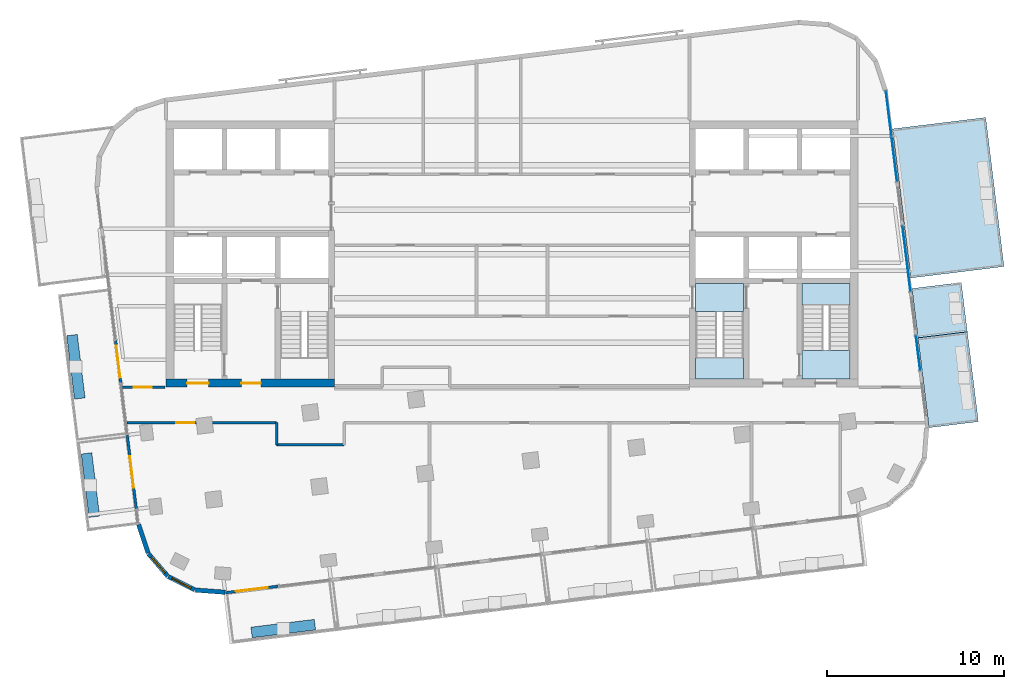
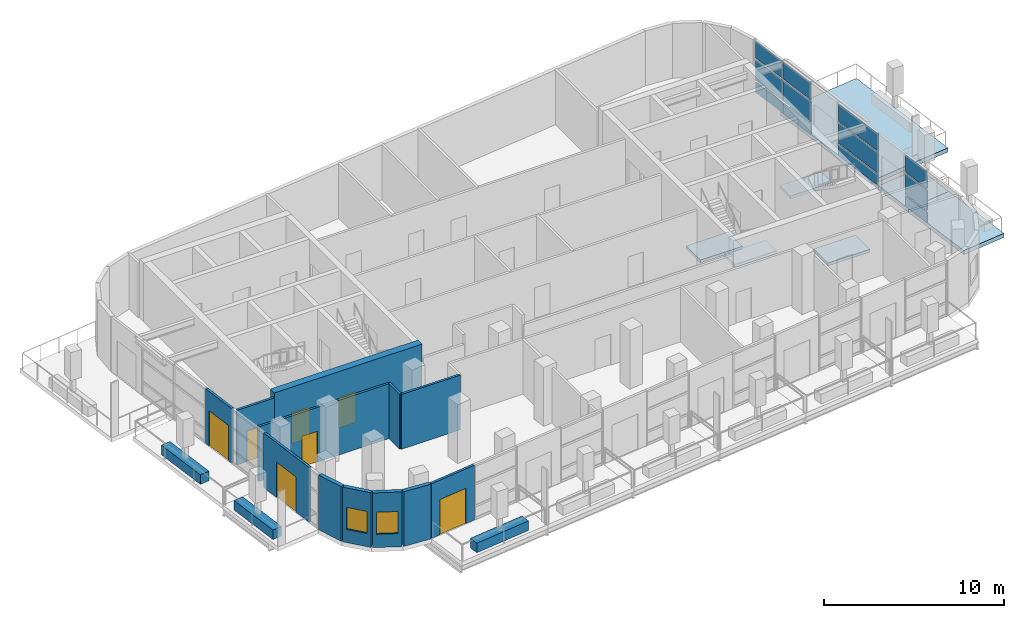
# One storey, part 6 of 14: 15 walls, 12 plates, 7 doors, 7 slabs, 2 windows, 9 openings, 5 elements without a shape of their own.
"""IFC4 building model written with IfcOpenShell, lengths in metres."""

from ifc_helpers import new_model, si_unit, direction, frame, frame_2d, origin, origin_2d, place, context, subcontext, project, spatial, polyline, rectangle, outline, extrude, material, layer, layer_set, type_object, element, fill, aggregate, save


model = new_model("IFC4")

# Units and contexts
model_context = context("Model", 3, precision=1e-05, world=origin(), true_north=direction((0.0, 1.0)))
body_context = subcontext(model_context, "Body", "Model", "MODEL_VIEW")
ifc_project = project(units=[si_unit("LENGTHUNIT", "METRE"), si_unit("AREAUNIT", "SQUARE_METRE"), si_unit("VOLUMEUNIT", "CUBIC_METRE"), si_unit("PLANEANGLEUNIT", "RADIAN"), si_unit("MASSUNIT", "GRAM", prefix="KILO")], contexts=[model_context])

# Site, building, storey
site_placement = place(None, origin())
site = spatial("IfcSite", under=ifc_project, at=site_placement, CompositionType="ELEMENT")
building_placement = place(site_placement, origin())
building = spatial("IfcBuilding", under=site, at=building_placement, Name="Torana Hotel and Residences", CompositionType="ELEMENT")
storey_placement = place(building_placement, frame((0.0, 0.0, 318.60009765625)))
storey = spatial("IfcBuildingStorey", under=building, at=storey_placement, Name="L84", CompositionType="ELEMENT", Elevation=318.60009765625)

# Slabs
ifc_material_1 = material(Name="Concrete C40/50", Category="concrete")
ifc_layer_1 = layer(ifc_material_1, 0.280029296875)
ifc_layer_set_1 = layer_set([ifc_layer_1], Name="BAL1 BALCONY SLAB 280")
slab_type_1 = type_object("IfcSlabType", Name="BAL1 BALCONY SLAB 280", PredefinedType="USERDEFINED", material=ifc_layer_set_1)
slab_1_placement = place(storey_placement, frame((0.0, 0.0, -0.280029296875)))
element("IfcSlab", 1, at=slab_1_placement, inside=storey, type_object=slab_type_1, Name="Balcony 10", ObjectType="BALCONY", PredefinedType="USERDEFINED", context=body_context, shape_type="SweptSolid", body=[
    extrude(outline(polyline([(23.502197265625, -17.286376953125), (26.281494140625, -16.945068359375), (25.659912109375, -11.88330078125), (22.880615234375, -12.224365234375), (23.502197265625, -17.286376953125)])), origin(), (0.0, 0.0, 1.0), 0.280029296875),
])
slab_2_placement = place(storey_placement, frame((0.0, 0.0, -0.280029296875)))
element("IfcSlab", 2, at=slab_2_placement, inside=storey, type_object=slab_type_1, Name="Balcony 11", ObjectType="BALCONY", PredefinedType="USERDEFINED", context=body_context, shape_type="SweptSolid", body=[
    extrude(outline(polyline([(22.880615234375, -12.224365234375), (25.659912109375, -11.88330078125), (25.318603515625, -9.104248046875), (22.53955078125, -9.445556640625), (22.880615234375, -12.224365234375)])), origin(), (0.0, 0.0, 1.0), 0.280029296875),
])
slab_3_placement = place(storey_placement, frame((0.0, 0.0, -0.280029296875)))
element("IfcSlab", 3, at=slab_3_placement, inside=storey, type_object=slab_type_1, Name="Balcony 12", ObjectType="BALCONY", PredefinedType="USERDEFINED", context=body_context, shape_type="SweptSolid", body=[
    extrude(outline(polyline([(22.46630859375, -8.85009765625), (27.726806640625, -8.2041015625), (26.695556640625, 0.19580078125), (21.43505859375, -0.449951171875), (22.46630859375, -8.85009765625)])), origin(), (0.0, 0.0, 1.0), 0.280029296875),
])

# Curtain wall, plates
ifc_material_2 = material(Name="Dark anodised aluminium", Category="aluminium")
ifc_layer_2 = layer(ifc_material_2, 0.199951171875)
ifc_layer_set_2 = layer_set([ifc_layer_2], Name="CW3 SKY CLUB UNITISED CURTAIN WALL")
curtain_wall_type = type_object("IfcCurtainWallType", Name="CW3 SKY CLUB UNITISED CURTAIN WALL", PredefinedType="NOTDEFINED", material=ifc_layer_set_2)
curtain_wall_1_placement = place(storey_placement, origin())
curtain_wall_1 = element("IfcCurtainWall", 4, at=curtain_wall_1_placement, inside=storey, type_object=curtain_wall_type, Name="Curtain wall CW3 L84 e0.19-2", PredefinedType="NOTDEFINED")
ifc_material_3 = material(Name="Glass dark tinted double glazed unit", Category="glass")
ifc_layer_3 = layer(ifc_material_3, 0.031982421875)
ifc_layer_set_3 = layer_set([ifc_layer_3], Name="CW3 DARK GLASS PANEL 32")
plate_type = type_object("IfcPlateType", Name="CW3 DARK GLASS PANEL 32", PredefinedType="CURTAIN_PANEL", material=ifc_layer_set_3)
plate_1_placement = place(storey_placement, frame((22.885009765625, -13.080322265625, 0.1201171875), z_axis=(0.0, 0.0, 1.0), x_axis=(-0.121912701141, 0.992540827019, 0.0)))
plate_1 = element("IfcPlate", 5, at=plate_1_placement, type_object=plate_type, Name="CW3 panel 1.1", PredefinedType="CURTAIN_PANEL", context=body_context, shape_type="SweptSolid", body=[
    extrude(rectangle(XDim=1.9599609375, YDim=0.031982421875, at=origin_2d()), origin(), (0.0, 0.0, 1.0), 0.719970703125),
])
plate_2_placement = place(storey_placement, frame((22.885009765625, -13.080322265625, 0.9599609375), z_axis=(0.0, 0.0, 1.0), x_axis=(-0.121912701141, 0.992540827019, 0.0)))
plate_2 = element("IfcPlate", 6, at=plate_2_placement, type_object=plate_type, Name="CW3 panel 1.2", PredefinedType="CURTAIN_PANEL", context=body_context, shape_type="SweptSolid", body=[
    extrude(rectangle(XDim=1.9599609375, YDim=0.031982421875, at=origin_2d()), origin(), (0.0, 0.0, 1.0), 1.3798828125),
])
plate_3_placement = place(storey_placement, frame((22.885009765625, -13.080322265625, 2.4599609375), z_axis=(0.0, 0.0, 1.0), x_axis=(-0.121912701141, 0.992540827019, 0.0)))
plate_3 = element("IfcPlate", 7, at=plate_3_placement, type_object=plate_type, Name="CW3 panel 1.3", PredefinedType="CURTAIN_PANEL", context=body_context, shape_type="SweptSolid", body=[
    extrude(rectangle(XDim=1.9599609375, YDim=0.031982421875, at=origin_2d()), origin(), (0.0, 0.0, 1.0), 1.139892578125),
])
aggregate(curtain_wall_1, [plate_1, plate_2, plate_3])

curtain_wall_2_placement = place(storey_placement, origin())
curtain_wall_2 = element("IfcCurtainWall", 8, at=curtain_wall_2_placement, inside=storey, type_object=curtain_wall_type, Name="Curtain wall CW3 L84 e0.19-4", PredefinedType="NOTDEFINED")
plate_4_placement = place(storey_placement, frame((22.231201171875, -7.754638671875, 0.1201171875), z_axis=(0.0, 0.0, 1.0), x_axis=(-0.121885437403, 0.992544175414, 0.0)))
plate_4 = element("IfcPlate", 9, at=plate_4_placement, type_object=plate_type, Name="CW3 panel 1.1", PredefinedType="CURTAIN_PANEL", context=body_context, shape_type="SweptSolid", body=[
    extrude(rectangle(XDim=3.69140625, YDim=0.031982421875, at=origin_2d()), origin(), (0.0, 0.0, 1.0), 0.719970703125),
])
plate_5_placement = place(storey_placement, frame((22.231201171875, -7.754638671875, 0.9599609375), z_axis=(0.0, 0.0, 1.0), x_axis=(-0.121885437403, 0.992544175414, 0.0)))
plate_5 = element("IfcPlate", 10, at=plate_5_placement, type_object=plate_type, Name="CW3 panel 1.2", PredefinedType="CURTAIN_PANEL", context=body_context, shape_type="SweptSolid", body=[
    extrude(rectangle(XDim=3.69140625, YDim=0.031982421875, at=origin_2d()), origin(), (0.0, 0.0, 1.0), 1.3798828125),
])
plate_6_placement = place(storey_placement, frame((22.231201171875, -7.754638671875, 2.4599609375), z_axis=(0.0, 0.0, 1.0), x_axis=(-0.121885437403, 0.992544175414, 0.0)))
plate_6 = element("IfcPlate", 11, at=plate_6_placement, type_object=plate_type, Name="CW3 panel 1.3", PredefinedType="CURTAIN_PANEL", context=body_context, shape_type="SweptSolid", body=[
    extrude(rectangle(XDim=3.69140625, YDim=0.031982421875, at=origin_2d()), origin(), (0.0, 0.0, 1.0), 1.139892578125),
])
aggregate(curtain_wall_2, [plate_4, plate_5, plate_6])

curtain_wall_3_placement = place(storey_placement, origin())
curtain_wall_3 = element("IfcCurtainWall", 12, at=curtain_wall_3_placement, inside=storey, type_object=curtain_wall_type, Name="Curtain wall CW3 L84 e0.19-6", PredefinedType="NOTDEFINED")
plate_7_placement = place(storey_placement, frame((21.543212890625, -2.152587890625, 0.1201171875), z_axis=(0.0, 0.0, 1.0), x_axis=(-0.121870538273, 0.992546004929, 0.0)))
plate_7 = element("IfcPlate", 13, at=plate_7_placement, type_object=plate_type, Name="CW3 panel 1.1", PredefinedType="CURTAIN_PANEL", context=body_context, shape_type="SweptSolid", body=[
    extrude(rectangle(XDim=2.51708984375, YDim=0.031982421875, at=origin_2d()), origin(), (0.0, 0.0, 1.0), 0.719970703125),
])
plate_8_placement = place(storey_placement, frame((21.543212890625, -2.152587890625, 0.9599609375), z_axis=(0.0, 0.0, 1.0), x_axis=(-0.121870538273, 0.992546004929, 0.0)))
plate_8 = element("IfcPlate", 14, at=plate_8_placement, type_object=plate_type, Name="CW3 panel 1.2", PredefinedType="CURTAIN_PANEL", context=body_context, shape_type="SweptSolid", body=[
    extrude(rectangle(XDim=2.51708984375, YDim=0.031982421875, at=origin_2d()), origin(), (0.0, 0.0, 1.0), 1.3798828125),
])
plate_9_placement = place(storey_placement, frame((21.543212890625, -2.152587890625, 2.4599609375), z_axis=(0.0, 0.0, 1.0), x_axis=(-0.121870538273, 0.992546004929, 0.0)))
plate_9 = element("IfcPlate", 15, at=plate_9_placement, type_object=plate_type, Name="CW3 panel 1.3", PredefinedType="CURTAIN_PANEL", context=body_context, shape_type="SweptSolid", body=[
    extrude(rectangle(XDim=2.51708984375, YDim=0.031982421875, at=origin_2d()), origin(), (0.0, 0.0, 1.0), 1.139892578125),
])
plate_10_placement = place(storey_placement, frame((21.22802734375, 0.415283203125, 0.1201171875), z_axis=(0.0, 0.0, 1.0), x_axis=(-0.121870538273, 0.992546004929, 0.0)))
plate_10 = element("IfcPlate", 16, at=plate_10_placement, type_object=plate_type, Name="CW3 panel 2.1", PredefinedType="CURTAIN_PANEL", context=body_context, shape_type="SweptSolid", body=[
    extrude(rectangle(XDim=2.51708984375, YDim=0.031982421875, at=origin_2d()), origin(), (0.0, 0.0, 1.0), 0.719970703125),
])
plate_11_placement = place(storey_placement, frame((21.22802734375, 0.415283203125, 0.9599609375), z_axis=(0.0, 0.0, 1.0), x_axis=(-0.121870538273, 0.992546004929, 0.0)))
plate_11 = element("IfcPlate", 17, at=plate_11_placement, type_object=plate_type, Name="CW3 panel 2.2", PredefinedType="CURTAIN_PANEL", context=body_context, shape_type="SweptSolid", body=[
    extrude(rectangle(XDim=2.51708984375, YDim=0.031982421875, at=origin_2d()), origin(), (0.0, 0.0, 1.0), 1.3798828125),
])
plate_12_placement = place(storey_placement, frame((21.22802734375, 0.415283203125, 2.4599609375), z_axis=(0.0, 0.0, 1.0), x_axis=(-0.121870538273, 0.992546004929, 0.0)))
plate_12 = element("IfcPlate", 18, at=plate_12_placement, type_object=plate_type, Name="CW3 panel 2.3", PredefinedType="CURTAIN_PANEL", context=body_context, shape_type="SweptSolid", body=[
    extrude(rectangle(XDim=2.51708984375, YDim=0.031982421875, at=origin_2d()), origin(), (0.0, 0.0, 1.0), 1.139892578125),
])
aggregate(curtain_wall_3, [plate_7, plate_8, plate_9, plate_10, plate_11, plate_12])

# Stair, slabs
ifc_material_4 = material(Name="Concrete C40/50 precast", Category="concrete")
stair_type_1 = type_object("IfcStairType", Name="STAIR ST3 HALF TURN 1200", PredefinedType="HALF_TURN_STAIR", material=ifc_material_4)
stair_1_placement = place(storey_placement, origin())
stair_1 = element("IfcStair", 19, at=stair_1_placement, inside=storey, type_object=stair_type_1, Name="Stair ST3 L84", PredefinedType="HALF_TURN_STAIR")
ifc_material_5 = material(Name="Concrete C40/50 precast", Category="concrete")
ifc_layer_4 = layer(ifc_material_5, 0.199951171875)
ifc_layer_set_4 = layer_set([ifc_layer_4], Name="STAIR LANDING 200")
slab_type_2 = type_object("IfcSlabType", Name="STAIR LANDING 200", PredefinedType="LANDING", material=ifc_layer_set_4)
slab_4_placement = place(storey_placement, frame((0.0, 0.0, 1.7998046875)))
slab_4 = element("IfcSlab", 20, at=slab_4_placement, type_object=slab_type_2, Name="ST3 landing 1", PredefinedType="LANDING", context=body_context, shape_type="SweptSolid", body=[
    extrude(outline(polyline([(10.35009765625, -14.550048828125), (13.050048828125, -14.550048828125), (13.050048828125, -13.35009765625), (10.35009765625, -13.35009765625), (10.35009765625, -14.550048828125)])), origin(), (0.0, 0.0, 1.0), 0.2001953125),
])
slab_5_placement = place(storey_placement, frame((0.0, 0.0, -0.2001953125)))
slab_5 = element("IfcSlab", 21, at=slab_5_placement, type_object=slab_type_2, Name="ST3 landing 2", PredefinedType="LANDING", context=body_context, shape_type="SweptSolid", body=[
    extrude(outline(polyline([(10.35009765625, -10.75), (13.050048828125, -10.75), (13.050048828125, -9.14990234375), (10.35009765625, -9.14990234375), (10.35009765625, -10.75)])), origin(), (0.0, 0.0, 1.0), 0.2001953125),
])
aggregate(stair_1, [slab_4, slab_5])

ifc_material_6 = material(Name="Concrete C40/50 precast", Category="concrete")
stair_type_2 = type_object("IfcStairType", Name="STAIR ST4 HALF TURN 1200", PredefinedType="HALF_TURN_STAIR", material=ifc_material_6)
stair_2_placement = place(storey_placement, origin())
stair_2 = element("IfcStair", 22, at=stair_2_placement, inside=storey, type_object=stair_type_2, Name="Stair ST4 L84", PredefinedType="HALF_TURN_STAIR")
slab_6_placement = place(storey_placement, frame((0.0, 0.0, 1.7998046875)))
slab_6 = element("IfcSlab", 23, at=slab_6_placement, type_object=slab_type_2, Name="ST4 landing 1", PredefinedType="LANDING", context=body_context, shape_type="SweptSolid", body=[
    extrude(outline(polyline([(16.35009765625, -10.35009765625), (19.050048828125, -10.35009765625), (19.050048828125, -9.14990234375), (16.35009765625, -9.14990234375), (16.35009765625, -10.35009765625)])), origin(), (0.0, 0.0, 1.0), 0.2001953125),
])
slab_7_placement = place(storey_placement, frame((0.0, 0.0, -0.2001953125)))
slab_7 = element("IfcSlab", 24, at=slab_7_placement, type_object=slab_type_2, Name="ST4 landing 2", PredefinedType="LANDING", context=body_context, shape_type="SweptSolid", body=[
    extrude(outline(polyline([(16.35009765625, -14.550048828125), (19.050048828125, -14.550048828125), (19.050048828125, -12.949951171875), (16.35009765625, -12.949951171875), (16.35009765625, -14.550048828125)])), origin(), (0.0, 0.0, 1.0), 0.2001953125),
])
aggregate(stair_2, [slab_6, slab_7])

# Wall, openings, doors
ifc_material_7 = material(Name="Concrete C60/75", Category="concrete")
ifc_layer_5 = layer(ifc_material_7, 0.449951171875)
ifc_layer_set_5 = layer_set([ifc_layer_5], Name="CORE WALL 450 C60/75")
wall_type_1 = type_object("IfcWallType", Name="CORE WALL 450 C60/75", PredefinedType="SHEAR", material=ifc_layer_set_5)
wall_1_placement = place(storey_placement, frame((-19.5, -14.77490234375, 0.0), z_axis=(0.0, 0.0, 1.0), x_axis=(1.0, 0.0, 0.0)))
wall_1 = element("IfcWall", 25, at=wall_1_placement, inside=storey, type_object=wall_type_1, Name="Core wall W front", PredefinedType="SHEAR", context=body_context, shape_type="SweptSolid", body=[
    extrude(rectangle(XDim=9.5, YDim=0.449951171875, at=frame_2d((4.75, 0.0))), origin(), (0.0, 0.0, 1.0), 4.0),
])
opening_1_placement = place(wall_1_placement, frame((1.199951171875, 0.0, 0.0)))
opening_1 = element("IfcOpeningElement", 26, at=opening_1_placement, cuts=wall_1, Name="Opening L84-04", PredefinedType="OPENING", context=body_context, shape_type="SweptSolid", body=[
    extrude(rectangle(XDim=1.199951171875, YDim=2.10009765625, at=frame_2d((0.60009765625, 1.050048828125))), frame((0.0, 0.23486328125, 0.0), z_axis=(0.0, -1.0, 0.0), x_axis=(1.0, 0.0, 0.0)), (0.0, 0.0, 1.0), 0.469970703125),
])
opening_2_placement = place(wall_1_placement, frame((4.25, 0.0, 0.0)))
opening_2 = element("IfcOpeningElement", 27, at=opening_2_placement, cuts=wall_1, Name="Opening L84-05", PredefinedType="OPENING", context=body_context, shape_type="SweptSolid", body=[
    extrude(rectangle(XDim=1.10009765625, YDim=2.10009765625, at=frame_2d((0.550048828125, 1.050048828125))), frame((0.0, 0.23486328125, 0.0), z_axis=(0.0, -1.0, 0.0), x_axis=(1.0, 0.0, 0.0)), (0.0, 0.0, 1.0), 0.469970703125),
])
ifc_material_8 = material(Name="Steel S235", Category="steel")
door_type_1 = type_object("IfcDoorType", Name="FIRE-FIGHTING LOBBY DOOR D8 1100x2100", OperationType="SINGLE_SWING_LEFT", PredefinedType="DOOR", material=ifc_material_8)
door_1_placement = place(opening_2_placement, origin())
door_1 = element("IfcDoor", 28, at=door_1_placement, inside=storey, type_object=door_type_1, Name="FF-lobby door L84", OperationType="SINGLE_SWING_RIGHT", OverallHeight=2.10009765625, OverallWidth=1.10009765625, PredefinedType="DOOR", context=body_context, shape_type="SweptSolid", body=[
    extrude(rectangle(XDim=1.10009765625, YDim=2.10009765625, at=frame_2d((0.550048828125, 1.050048828125))), frame((0.0, 0.02490234375, 0.0), z_axis=(0.0, -1.0, 0.0), x_axis=(1.0, 0.0, 0.0)), (0.0, 0.0, 1.0), 0.050048828125),
])
fill(opening_2, door_1)
ifc_material_9 = material(Name="Steel S235", Category="steel")
door_type_2 = type_object("IfcDoorType", Name="STAIR FIRE DOOR D3 1200x2100", OperationType="SINGLE_SWING_LEFT", PredefinedType="DOOR", material=ifc_material_9)
door_2_placement = place(opening_1_placement, origin())
door_2 = element("IfcDoor", 29, at=door_2_placement, inside=storey, type_object=door_type_2, Name="Stair-B door L84", OperationType="SINGLE_SWING_RIGHT", OverallHeight=2.10009765625, OverallWidth=1.199951171875, PredefinedType="DOOR", context=body_context, shape_type="SweptSolid", body=[
    extrude(rectangle(XDim=1.199951171875, YDim=2.10009765625, at=frame_2d((0.60009765625, 1.050048828125))), frame((0.0, 0.02490234375, 0.0), z_axis=(0.0, -1.0, 0.0), x_axis=(1.0, 0.0, 0.0)), (0.0, 0.0, 1.0), 0.050048828125),
])
fill(opening_1, door_2)

# Wall
ifc_material_10 = material(Name="Black aluminium composite panel", Category="aluminium")
ifc_layer_6 = layer(ifc_material_10, 0.00390625, Name="Cladding", Category="cladding")
ifc_material_11 = material(Name="Ventilated air cavity")
ifc_layer_7 = layer(ifc_material_11, 0.0400390625, Name="Ventilated cavity", Category="cavity")
ifc_material_12 = material(Name="Mineral wool insulation")
ifc_layer_8 = layer(ifc_material_12, 0.090087890625, Name="Insulation", Category="insulation")
ifc_material_13 = material(Name="Steel S280GD", Category="steel")
ifc_layer_9 = layer(ifc_material_13, 0.092041015625, Name="Steel stud frame", Category="structure")
ifc_material_14 = material(Name="Fire rated plasterboard")
ifc_layer_10 = layer(ifc_material_14, 0.011962890625, Name="Inner board", Category="finish")
ifc_layer_11 = layer(ifc_material_14, 0.011962890625, Name="Second board", Category="finish")
ifc_layer_set_6 = layer_set([ifc_layer_6, ifc_layer_7, ifc_layer_8, ifc_layer_9, ifc_layer_10, ifc_layer_11], Name="EW1 EXTERNAL WALL BLACK METAL CLAD 250")
wall_type_2 = type_object("IfcWallType", Name="EW1 EXTERNAL WALL BLACK METAL CLAD 250", PredefinedType="SOLIDWALL", material=ifc_layer_set_6)
wall_2_placement = place(storey_placement, frame((-21.035888671875, -22.754638671875, 0.0), z_axis=(0.0, 0.0, 1.0), x_axis=(0.313046160822, -0.949737911844, 0.0)))
element("IfcWall", 30, at=wall_2_placement, inside=storey, type_object=wall_type_2, Name="External wall L84 e0.10", PredefinedType="SOLIDWALL", context=body_context, shape_type="SweptSolid", body=[
    extrude(rectangle(XDim=1.681396484375, YDim=0.25, at=frame_2d((0.8408203125, 0.0))), origin(), (0.0, 0.0, 1.0), 3.719970703125),
])

# Wall, opening, window
wall_3_placement = place(storey_placement, frame((-20.4853515625, -24.39404296875, 0.0), z_axis=(0.0, 0.0, 1.0), x_axis=(0.652755886531, -0.757568315466, 0.0)))
wall_3 = element("IfcWall", 31, at=wall_3_placement, inside=storey, type_object=wall_type_2, Name="External wall L84 e0.11", PredefinedType="SOLIDWALL", context=body_context, shape_type="SweptSolid", body=[
    extrude(rectangle(XDim=1.65625, YDim=0.25, at=frame_2d((0.828125, 0.0))), origin(), (0.0, 0.0, 1.0), 3.719970703125),
])
opening_3_placement = place(wall_3_placement, frame((0.228271484375, 0.0, 0.89990234375)))
opening_3 = element("IfcOpeningElement", 32, at=opening_3_placement, cuts=wall_3, Name="Opening W5", PredefinedType="OPENING", context=body_context, shape_type="SweptSolid", body=[
    extrude(rectangle(XDim=1.199951171875, YDim=1.5, at=frame_2d((0.60009765625, 0.75))), frame((0.0, 0.135009765625, 0.0), z_axis=(0.0, -1.0, 0.0), x_axis=(1.0, 0.0, 0.0)), (0.0, 0.0, 1.0), 0.27001953125),
])
ifc_material_15 = material(Name="Dark glass in black aluminium frame", Category="aluminium")
window_type = type_object("IfcWindowType", Name="W5 CORNER FACET WINDOW 1200x1500", PartitioningType="SINGLE_PANEL", PredefinedType="WINDOW", material=ifc_material_15)
window_1_placement = place(opening_3_placement, origin())
window_1 = element("IfcWindow", 33, at=window_1_placement, inside=storey, type_object=window_type, Name="Window L84 e0.11", OverallHeight=1.5, OverallWidth=1.199951171875, PartitioningType="SINGLE_PANEL", PredefinedType="WINDOW", context=body_context, shape_type="SweptSolid", body=[
    extrude(rectangle(XDim=1.199951171875, YDim=1.5, at=frame_2d((0.60009765625, 0.75))), frame((0.0, 0.030029296875, 0.0), z_axis=(0.0, -1.0, 0.0), x_axis=(1.0, 0.0, 0.0)), (0.0, 0.0, 1.0), 0.06005859375),
])
fill(opening_3, window_1)

wall_4_placement = place(storey_placement, frame((-19.36572265625, -25.678955078125, 0.0), z_axis=(0.0, 0.0, 1.0), x_axis=(0.893007580524, -0.450041621549, 0.0)))
wall_4 = element("IfcWall", 34, at=wall_4_placement, inside=storey, type_object=wall_type_2, Name="External wall L84 e0.12", PredefinedType="SOLIDWALL", context=body_context, shape_type="SweptSolid", body=[
    extrude(rectangle(XDim=1.65625, YDim=0.25, at=frame_2d((0.828125, 0.0))), origin(), (0.0, 0.0, 1.0), 3.719970703125),
])
opening_4_placement = place(wall_4_placement, frame((0.228271484375, 0.0, 0.89990234375)))
opening_4 = element("IfcOpeningElement", 35, at=opening_4_placement, cuts=wall_4, Name="Opening W5", PredefinedType="OPENING", context=body_context, shape_type="SweptSolid", body=[
    extrude(rectangle(XDim=1.199951171875, YDim=1.5, at=frame_2d((0.60009765625, 0.75))), frame((0.0, 0.135009765625, 0.0), z_axis=(0.0, -1.0, 0.0), x_axis=(1.0, 0.0, 0.0)), (0.0, 0.0, 1.0), 0.27001953125),
])
window_2_placement = place(opening_4_placement, origin())
window_2 = element("IfcWindow", 36, at=window_2_placement, inside=storey, type_object=window_type, Name="Window L84 e0.12", OverallHeight=1.5, OverallWidth=1.199951171875, PartitioningType="SINGLE_PANEL", PredefinedType="WINDOW", context=body_context, shape_type="SweptSolid", body=[
    extrude(rectangle(XDim=1.199951171875, YDim=1.5, at=frame_2d((0.60009765625, 0.75))), frame((0.0, 0.030029296875, 0.0), z_axis=(0.0, -1.0, 0.0), x_axis=(1.0, 0.0, 0.0)), (0.0, 0.0, 1.0), 0.06005859375),
])
fill(opening_4, window_2)

# Walls
wall_5_placement = place(storey_placement, frame((-17.839599609375, -26.4375, 0.0), z_axis=(0.0, 0.0, 1.0), x_axis=(0.997254267475, -0.074053534713, 0.0)))
element("IfcWall", 37, at=wall_5_placement, inside=storey, type_object=wall_type_2, Name="External wall L84 e0.13", PredefinedType="SOLIDWALL", context=body_context, shape_type="SweptSolid", body=[
    extrude(rectangle(XDim=1.681396484375, YDim=0.25, at=frame_2d((0.8408203125, 0.0))), origin(), (0.0, 0.0, 1.0), 3.719970703125),
])
ifc_material_16 = material(Name="Gypsum plaster")
ifc_layer_12 = layer(ifc_material_16, 0.014892578125, Name="Plaster", Category="finish")
ifc_material_17 = material(Name="Concrete blockwork", Category="masonry")
ifc_layer_13 = layer(ifc_material_17, 0.1201171875, Name="Blockwork", Category="structure")
ifc_layer_14 = layer(ifc_material_16, 0.014892578125, Name="Plaster", Category="finish")
ifc_layer_set_7 = layer_set([ifc_layer_12, ifc_layer_13, ifc_layer_14], Name="FIRE PARTITION 150 BLOCKWORK")
wall_type_3 = type_object("IfcWallType", Name="FIRE PARTITION 150 BLOCKWORK", PredefinedType="PARTITIONING", material=ifc_layer_set_7)
wall_6_placement = place(storey_placement, frame((-13.262939453125, -18.2548828125, 0.0), z_axis=(0.0, 0.0, 1.0), x_axis=(0.0, 1.0, 0.0)))
element("IfcWall", 38, at=wall_6_placement, inside=storey, type_object=wall_type_3, Name="Partition L84", PredefinedType="PARTITIONING", context=body_context, shape_type="SweptSolid", body=[
    extrude(rectangle(XDim=1.2548828125, YDim=0.14990234375, at=frame_2d((0.62744140625, 0.0))), origin(), (0.0, 0.0, 1.0), 3.719970703125),
])
wall_7_placement = place(storey_placement, frame((-13.262939453125, -18.2548828125, 0.0), z_axis=(0.0, 0.0, 1.0), x_axis=(1.0, 0.0, 0.0)))
element("IfcWall", 39, at=wall_7_placement, inside=storey, type_object=wall_type_3, Name="Partition L84", PredefinedType="PARTITIONING", context=body_context, shape_type="SweptSolid", body=[
    extrude(rectangle(XDim=3.802001953125, YDim=0.14990234375, at=frame_2d((1.90087890625, 0.0))), origin(), (0.0, 0.0, 1.0), 3.719970703125),
])

# Wall, opening, door
wall_8_placement = place(storey_placement, frame((-21.689453125, -17.0, 0.0), z_axis=(0.0, 0.0, 1.0), x_axis=(1.0, 0.0, 0.0)))
wall_8 = element("IfcWall", 40, at=wall_8_placement, inside=storey, type_object=wall_type_3, Name="Partition L84", PredefinedType="PARTITIONING", context=body_context, shape_type="SweptSolid", body=[
    extrude(rectangle(XDim=8.426513671875, YDim=0.14990234375, at=frame_2d((4.21337890625, 0.0))), origin(), (0.0, 0.0, 1.0), 3.719970703125),
])
opening_5_placement = place(wall_8_placement, frame((2.77099609375, 0.0, 0.0)))
opening_5 = element("IfcOpeningElement", 41, at=opening_5_placement, cuts=wall_8, Name="Opening L84-18", PredefinedType="OPENING", context=body_context, shape_type="SweptSolid", body=[
    extrude(rectangle(XDim=1.0, YDim=2.10009765625, at=frame_2d((0.5, 1.050048828125))), frame((0.0, 0.0849609375, 0.0), z_axis=(0.0, -1.0, 0.0), x_axis=(1.0, 0.0, 0.0)), (0.0, 0.0, 1.0), 0.169921875),
])
ifc_material_18 = material(Name="Steel S235", Category="steel")
door_type_3 = type_object("IfcDoorType", Name="ENTRY FIRE DOOR D6 1000x2100", OperationType="SINGLE_SWING_LEFT", PredefinedType="DOOR", material=ifc_material_18)
door_3_placement = place(opening_5_placement, frame((0.5, 0.0, 0.0), z_axis=(0.0, 0.0, 1.0), x_axis=(-1.0, 0.0, 0.0)))
door_3 = element("IfcDoor", 42, at=door_3_placement, inside=storey, type_object=door_type_3, Name="Door L84", OperationType="SINGLE_SWING_RIGHT", OverallHeight=2.10009765625, OverallWidth=1.0, PredefinedType="DOOR", context=body_context, shape_type="SweptSolid", body=[
    extrude(rectangle(XDim=1.0, YDim=2.10009765625, at=frame_2d((0.0, 1.050048828125))), frame((0.0, -0.02490234375, 0.0), z_axis=(0.0, 1.0, 0.0), x_axis=(-1.0, 0.0, 0.0)), (0.0, 0.0, 1.0), 0.050048828125),
])
fill(opening_5, door_3)

wall_9_placement = place(storey_placement, frame((-21.93505859375, -15.0, 0.0), z_axis=(0.0, 0.0, 1.0), x_axis=(1.0, 0.0, 0.0)))
wall_9 = element("IfcWall", 43, at=wall_9_placement, inside=storey, type_object=wall_type_3, Name="Partition L84", PredefinedType="PARTITIONING", context=body_context, shape_type="SweptSolid", body=[
    extrude(rectangle(XDim=2.385009765625, YDim=0.14990234375, at=frame_2d((1.1923828125, 0.0))), origin(), (0.0, 0.0, 1.0), 3.719970703125),
])
opening_6_placement = place(wall_9_placement, frame((0.626953125, 0.0, 0.0)))
opening_6 = element("IfcOpeningElement", 44, at=opening_6_placement, cuts=wall_9, Name="Opening L84-23", PredefinedType="OPENING", context=body_context, shape_type="SweptSolid", body=[
    extrude(rectangle(XDim=1.0, YDim=2.10009765625, at=frame_2d((0.5, 1.050048828125))), frame((0.0, 0.0849609375, 0.0), z_axis=(0.0, -1.0, 0.0), x_axis=(1.0, 0.0, 0.0)), (0.0, 0.0, 1.0), 0.169921875),
])
ifc_material_19 = material(Name="Steel S235", Category="steel")
door_type_4 = type_object("IfcDoorType", Name="CORE ROOM FIRE DOOR D14 1000x2100", OperationType="SINGLE_SWING_LEFT", PredefinedType="DOOR", material=ifc_material_19)
door_4_placement = place(opening_6_placement, origin())
door_4 = element("IfcDoor", 45, at=door_4_placement, inside=storey, type_object=door_type_4, Name="Door L84", OperationType="SINGLE_SWING_RIGHT", OverallHeight=2.10009765625, OverallWidth=1.0, PredefinedType="DOOR", context=body_context, shape_type="SweptSolid", body=[
    extrude(rectangle(XDim=1.0, YDim=2.10009765625, at=frame_2d((0.5, 1.050048828125))), frame((0.0, 0.02490234375, 0.0), z_axis=(0.0, -1.0, 0.0), x_axis=(1.0, 0.0, 0.0)), (0.0, 0.0, 1.0), 0.050048828125),
])
fill(opening_6, door_4)

ifc_material_20 = material(Name="Dark glass screen in aluminium frame", Category="aluminium")
ifc_layer_15 = layer(ifc_material_20, 0.14990234375)
ifc_layer_set_8 = layer_set([ifc_layer_15], Name="GS1 GLAZED DOOR SCREEN 150")
wall_type_4 = type_object("IfcWallType", Name="GS1 GLAZED DOOR SCREEN 150", PredefinedType="USERDEFINED", material=ifc_layer_set_8)
wall_10_placement = place(storey_placement, frame((-22.338134765625, -12.373779296875, 0.0), z_axis=(0.0, 0.0, 1.0), x_axis=(0.121868445399, -0.992546261902, 0.0)))
wall_10 = element("IfcWall", 46, at=wall_10_placement, inside=storey, type_object=wall_type_4, Name="Glazed door screen L84", ObjectType="GLAZED SCREEN", PredefinedType="USERDEFINED", context=body_context, shape_type="SweptSolid", body=[
    extrude(rectangle(XDim=2.39990234375, YDim=0.14990234375, at=frame_2d((1.199951171875, 0.0))), origin(), (0.0, 0.0, 1.0), 3.719970703125),
])
opening_7_placement = place(wall_10_placement, frame((0.300048828125, 0.0, 0.0)))
opening_7 = element("IfcOpeningElement", 47, at=opening_7_placement, cuts=wall_10, Name="Opening L84-E02", PredefinedType="OPENING", context=body_context, shape_type="SweptSolid", body=[
    extrude(rectangle(XDim=1.800048828125, YDim=2.39990234375, at=frame_2d((0.89990234375, 1.199951171875))), frame((0.0, 0.0849609375, 0.0), z_axis=(0.0, -1.0, 0.0), x_axis=(1.0, 0.0, 0.0)), (0.0, 0.0, 1.0), 0.169921875),
])
ifc_material_21 = material(Name="Dark glass in black aluminium frame", Category="aluminium")
door_type_5 = type_object("IfcDoorType", Name="DB1 BALCONY DOOR 1800x2400", OperationType="DOUBLE_DOOR_SINGLE_SWING", PredefinedType="DOOR", material=ifc_material_21)
door_5_placement = place(opening_7_placement, origin())
door_5 = element("IfcDoor", 48, at=door_5_placement, inside=storey, type_object=door_type_5, Name="Balcony door L84", OperationType="DOUBLE_DOOR_SINGLE_SWING", OverallHeight=2.39990234375, OverallWidth=1.800048828125, PredefinedType="DOOR", context=body_context, shape_type="SweptSolid", body=[
    extrude(rectangle(XDim=1.800048828125, YDim=2.39990234375, at=frame_2d((0.89990234375, 1.199951171875))), frame((0.0, 0.02490234375, 0.0), z_axis=(0.0, -1.0, 0.0), x_axis=(1.0, 0.0, 0.0)), (0.0, 0.0, 1.0), 0.050048828125),
])
fill(opening_7, door_5)

wall_11_placement = place(storey_placement, frame((-21.6845703125, -17.6962890625, 0.0), z_axis=(0.0, 0.0, 1.0), x_axis=(0.121895320106, -0.992542961758, 0.0)))
wall_11 = element("IfcWall", 49, at=wall_11_placement, inside=storey, type_object=wall_type_4, Name="Glazed door screen L84", ObjectType="GLAZED SCREEN", PredefinedType="USERDEFINED", context=body_context, shape_type="SweptSolid", body=[
    extrude(rectangle(XDim=4.199951171875, YDim=0.14990234375, at=frame_2d((2.10009765625, 0.0))), origin(), (0.0, 0.0, 1.0), 3.719970703125),
])
opening_8_placement = place(wall_11_placement, frame((1.199951171875, 0.0, 0.0)))
opening_8 = element("IfcOpeningElement", 50, at=opening_8_placement, cuts=wall_11, Name="Opening L84-E03", PredefinedType="OPENING", context=body_context, shape_type="SweptSolid", body=[
    extrude(rectangle(XDim=1.800048828125, YDim=2.39990234375, at=frame_2d((0.89990234375, 1.199951171875))), frame((0.0, 0.0849609375, 0.0), z_axis=(0.0, -1.0, 0.0), x_axis=(1.0, 0.0, 0.0)), (0.0, 0.0, 1.0), 0.169921875),
])
door_6_placement = place(opening_8_placement, origin())
door_6 = element("IfcDoor", 51, at=door_6_placement, inside=storey, type_object=door_type_5, Name="Balcony door L84", OperationType="DOUBLE_DOOR_SINGLE_SWING", OverallHeight=2.39990234375, OverallWidth=1.800048828125, PredefinedType="DOOR", context=body_context, shape_type="SweptSolid", body=[
    extrude(rectangle(XDim=1.800048828125, YDim=2.39990234375, at=frame_2d((0.89990234375, 1.199951171875))), frame((0.0, 0.02490234375, 0.0), z_axis=(0.0, -1.0, 0.0), x_axis=(1.0, 0.0, 0.0)), (0.0, 0.0, 1.0), 0.050048828125),
])
fill(opening_8, door_6)

wall_12_placement = place(storey_placement, frame((-16.13525390625, -26.586181640625, 0.0), z_axis=(0.0, 0.0, 1.0), x_axis=(0.992549375183, 0.121843086893, 0.0)))
wall_12 = element("IfcWall", 52, at=wall_12_placement, inside=storey, type_object=wall_type_4, Name="Glazed door screen L84", ObjectType="GLAZED SCREEN", PredefinedType="USERDEFINED", context=body_context, shape_type="SweptSolid", body=[
    extrude(rectangle(XDim=2.9755859375, YDim=0.14990234375, at=frame_2d((1.48779296875, 0.0))), origin(), (0.0, 0.0, 1.0), 3.719970703125),
])
opening_9_placement = place(wall_12_placement, frame((0.587646484375, 0.0, 0.0)))
opening_9 = element("IfcOpeningElement", 53, at=opening_9_placement, cuts=wall_12, Name="Opening L84-E04", PredefinedType="OPENING", context=body_context, shape_type="SweptSolid", body=[
    extrude(rectangle(XDim=1.800048828125, YDim=2.39990234375, at=frame_2d((0.89990234375, 1.199951171875))), frame((0.0, 0.0849609375, 0.0), z_axis=(0.0, -1.0, 0.0), x_axis=(1.0, 0.0, 0.0)), (0.0, 0.0, 1.0), 0.169921875),
])
door_7_placement = place(opening_9_placement, origin())
door_7 = element("IfcDoor", 54, at=door_7_placement, inside=storey, type_object=door_type_5, Name="Balcony door L84", OperationType="DOUBLE_DOOR_SINGLE_SWING", OverallHeight=2.39990234375, OverallWidth=1.800048828125, PredefinedType="DOOR", context=body_context, shape_type="SweptSolid", body=[
    extrude(rectangle(XDim=1.800048828125, YDim=2.39990234375, at=frame_2d((0.89990234375, 1.199951171875))), frame((0.0, 0.02490234375, 0.0), z_axis=(0.0, -1.0, 0.0), x_axis=(1.0, 0.0, 0.0)), (0.0, 0.0, 1.0), 0.050048828125),
])
fill(opening_9, door_7)

# Walls
ifc_material_22 = material(Name="Concrete C40/50 precast", Category="concrete")
ifc_layer_16 = layer(ifc_material_22, 0.10009765625, Name="Planter shell", Category="structure")
ifc_material_23 = material(Name="Root resistant membrane")
ifc_layer_17 = layer(ifc_material_23, 0.00390625, Name="Waterproofing membrane", Category="membrane")
ifc_material_24 = material(Name="Drainage board with filter fleece")
ifc_layer_18 = layer(ifc_material_24, 0.02001953125, Name="Drainage board", Category="drainage")
ifc_material_25 = material(Name="Growing medium")
ifc_layer_19 = layer(ifc_material_25, 0.47607421875, Name="Planting substrate", Category="soil")
ifc_layer_set_9 = layer_set([ifc_layer_16, ifc_layer_17, ifc_layer_18, ifc_layer_19], Name="PL1 BALCONY PLANTER 600")
wall_type_5 = type_object("IfcWallType", Name="PL1 BALCONY PLANTER 600", PredefinedType="USERDEFINED", material=ifc_layer_set_9)
wall_13_placement = place(storey_placement, frame((-11.10302734375, -28.386474609375, 0.0), z_axis=(0.0, 0.0, 1.0), x_axis=(-0.992545758265, -0.121872547154, 0.0)))
element("IfcWall", 55, at=wall_13_placement, inside=storey, type_object=wall_type_5, Name="Planter 01", ObjectType="PLANTER", PredefinedType="USERDEFINED", context=body_context, shape_type="SweptSolid", body=[
    extrude(rectangle(XDim=3.599853515625, YDim=0.60009765625, at=frame_2d((1.7998046875, 0.0))), origin(), (0.0, 0.0, 1.0), 0.64990234375),
])
wall_14_placement = place(storey_placement, frame((-23.53662109375, -22.306396484375, 0.0), z_axis=(0.0, 0.0, 1.0), x_axis=(-0.121864343918, 0.992546765488, 0.0)))
element("IfcWall", 56, at=wall_14_placement, inside=storey, type_object=wall_type_5, Name="Planter 07", ObjectType="PLANTER", PredefinedType="USERDEFINED", context=body_context, shape_type="SweptSolid", body=[
    extrude(rectangle(XDim=3.60009765625, YDim=0.60009765625, at=frame_2d((1.800048828125, 0.0))), origin(), (0.0, 0.0, 1.0), 0.64990234375),
])
wall_15_placement = place(storey_placement, frame((-24.354736328125, -15.643798828125, 0.0), z_axis=(0.0, 0.0, 1.0), x_axis=(-0.121872547154, 0.992545758265, 0.0)))
element("IfcWall", 57, at=wall_15_placement, inside=storey, type_object=wall_type_5, Name="Planter 08", ObjectType="PLANTER", PredefinedType="USERDEFINED", context=body_context, shape_type="SweptSolid", body=[
    extrude(rectangle(XDim=3.599853515625, YDim=0.60009765625, at=frame_2d((1.7998046875, 0.0))), origin(), (0.0, 0.0, 1.0), 0.64990234375),
])

save(model, "model.ifc")
